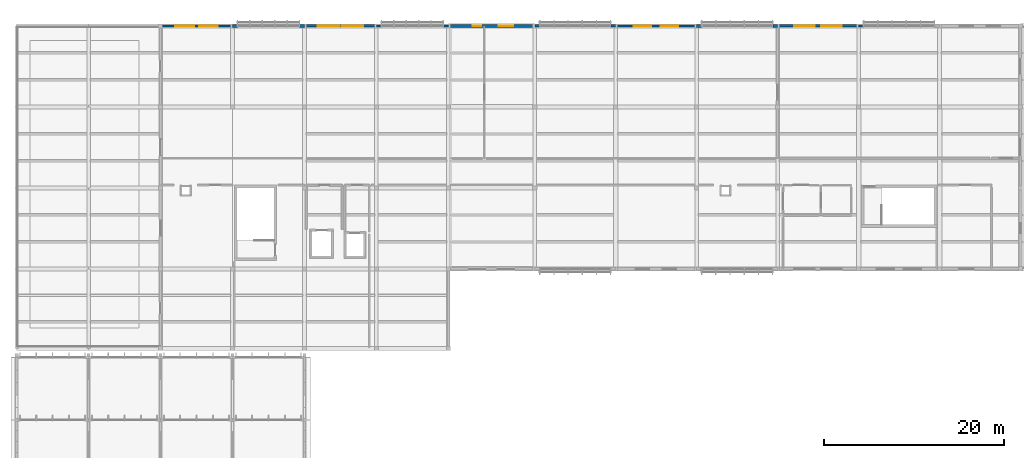
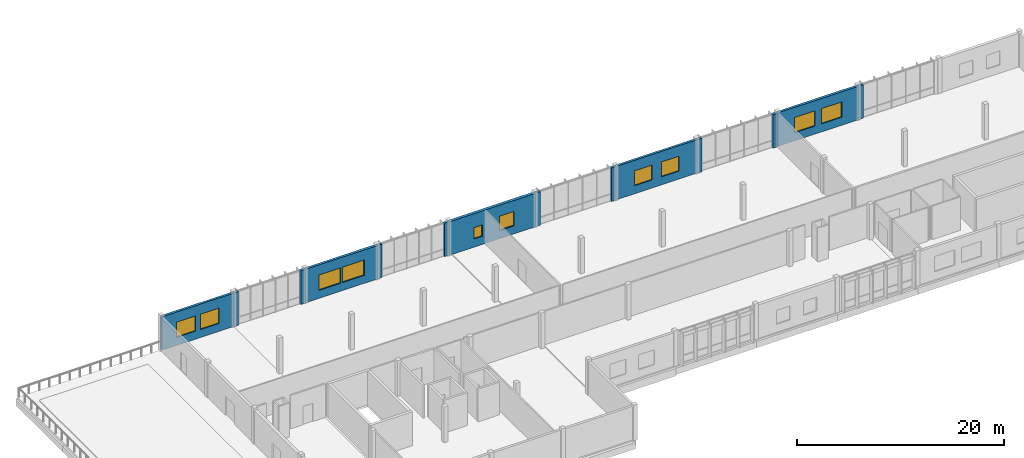
# One storey, part 89 of 94: 14 walls, 10 windows, 10 openings.
"""IFC4 building model written with IfcOpenShell, lengths in metres."""

from ifc_helpers import new_model, si_unit, direction, frame, frame_2d, origin, place, context, subcontext, project, spatial, rectangle, extrude, material, layer, layer_set, type_object, element, fill, save


model = new_model("IFC4")

# Units and contexts
model_context = context("Model", 3, precision=1e-05, world=origin(), true_north=direction((0.0, 1.0)))
body_context = subcontext(model_context, "Body", "Model", "MODEL_VIEW")
ifc_project = project(units=[si_unit("LENGTHUNIT", "METRE"), si_unit("AREAUNIT", "SQUARE_METRE"), si_unit("VOLUMEUNIT", "CUBIC_METRE"), si_unit("PLANEANGLEUNIT", "RADIAN"), si_unit("MASSUNIT", "GRAM", prefix="KILO")], contexts=[model_context])

# Site, building, storey
site_placement = place(None, origin())
site = spatial("IfcSite", under=ifc_project, at=site_placement, CompositionType="ELEMENT")
building_placement = place(site_placement, origin())
building = spatial("IfcBuilding", under=site, at=building_placement, Name="Chiffa Square Polytechnic", CompositionType="ELEMENT")
storey_placement = place(building_placement, frame((0.0, 0.0, 18.0)))
storey = spatial("IfcBuildingStorey", under=building, at=storey_placement, Name="L04", CompositionType="ELEMENT", Elevation=18.0)

# Wall
ifc_material_1 = material(Name="Precast concrete C40/50", Category="concrete")
ifc_layer_1 = layer(ifc_material_1, 0.260009765625, Name="Precast concrete C40/50")
ifc_layer_set_1 = layer_set([ifc_layer_1], Name="Precast concrete C40/50")
wall_type_1 = type_object("IfcWallType", Name="WL-EXT-PC260", PredefinedType="SOLIDWALL", material=ifc_layer_set_1)
wall_1_placement = place(storey_placement, frame((94.139892578125, 130.800048828125, 0.0), z_axis=(0.0, 0.0, 1.0), x_axis=(-1.0, 0.0, 0.0)))
element("IfcWall", 1, at=wall_1_placement, inside=storey, type_object=wall_type_1, Name="Facade column pier V5-L04-0376R", PredefinedType="SOLIDWALL", context=body_context, shape_type="SweptSolid", body=[
    extrude(rectangle(XDim=0.539794921875, YDim=0.260009765625, at=frame_2d((0.27001953125, 0.0))), origin(), (0.0, 0.0, 1.0), 3.93994140625),
])

# Wall, openings, windows
wall_2_placement = place(storey_placement, frame((75.60009765625, 130.800048828125, 0.0), z_axis=(0.0, 0.0, 1.0), x_axis=(-1.0, 0.0, 0.0)))
wall_2 = element("IfcWall", 2, at=wall_2_placement, inside=storey, type_object=wall_type_1, Name="Exterior wall WE-V5-L04-0379", PredefinedType="SOLIDWALL", context=body_context, shape_type="SweptSolid", body=[
    extrude(rectangle(XDim=9.0, YDim=0.260009765625, at=frame_2d((4.5, 0.0))), origin(), (0.0, 0.0, 1.0), 3.93994140625),
])
opening_1_placement = place(wall_2_placement, frame((2.02490234375, 0.0, 0.949951171875)))
opening_1 = element("IfcOpeningElement", 3, at=opening_1_placement, cuts=wall_2, Name="Opening W-04", PredefinedType="OPENING", context=body_context, shape_type="SweptSolid", body=[
    extrude(rectangle(XDim=1.949951171875, YDim=1.75, at=frame_2d((0.97509765625, 0.875))), frame((0.0, 0.14013671875, 0.0), z_axis=(0.0, -1.0, 0.0), x_axis=(1.0, 0.0, 0.0)), (0.0, 0.0, 1.0), 0.280029296875),
])
opening_2_placement = place(wall_2_placement, frame((5.02490234375, 0.0, 0.949951171875)))
opening_2 = element("IfcOpeningElement", 4, at=opening_2_placement, cuts=wall_2, Name="Opening W-04", PredefinedType="OPENING", context=body_context, shape_type="SweptSolid", body=[
    extrude(rectangle(XDim=1.949951171875, YDim=1.75, at=frame_2d((0.97509765625, 0.875))), frame((0.0, 0.14013671875, 0.0), z_axis=(0.0, -1.0, 0.0), x_axis=(1.0, 0.0, 0.0)), (0.0, 0.0, 1.0), 0.280029296875),
])
ifc_material_2 = material(Name="Double glazing in thermally broken aluminium frame", Category="aluminium")
window_type_1 = type_object("IfcWindowType", Name="WIN-LAB-1950X1750", PartitioningType="DOUBLE_PANEL_VERTICAL", PredefinedType="WINDOW", material=ifc_material_2)
window_1_placement = place(opening_1_placement, origin())
window_1 = element("IfcWindow", 5, at=window_1_placement, inside=storey, type_object=window_type_1, Name="Facade window WN-L04-0269", OverallHeight=1.75, OverallWidth=1.949951171875, PartitioningType="DOUBLE_PANEL_VERTICAL", PredefinedType="WINDOW", context=body_context, shape_type="SweptSolid", body=[
    extrude(rectangle(XDim=1.949951171875, YDim=1.75, at=frame_2d((0.97509765625, 0.875))), frame((0.0, 0.030029296875, 0.0), z_axis=(0.0, -1.0, 0.0), x_axis=(1.0, 0.0, 0.0)), (0.0, 0.0, 1.0), 0.06005859375),
])
fill(opening_1, window_1)
window_2_placement = place(opening_2_placement, origin())
window_2 = element("IfcWindow", 6, at=window_2_placement, inside=storey, type_object=window_type_1, Name="Facade window WN-L04-0270", OverallHeight=1.75, OverallWidth=1.949951171875, PartitioningType="DOUBLE_PANEL_VERTICAL", PredefinedType="WINDOW", context=body_context, shape_type="SweptSolid", body=[
    extrude(rectangle(XDim=1.949951171875, YDim=1.75, at=frame_2d((0.97509765625, 0.875))), frame((0.0, 0.030029296875, 0.0), z_axis=(0.0, -1.0, 0.0), x_axis=(1.0, 0.0, 0.0)), (0.0, 0.0, 1.0), 0.06005859375),
])
fill(opening_2, window_2)

# Walls
for number, where, z_axis, x_axis, name in (
    (7, (48.0, 130.800048828125, 0.0), (0.0, 0.0, 1.0), (-1.0, 0.0, 0.0), "Facade column pier V5-L04-0382L"),
    (8, (40.5400390625, 130.800048828125, 0.0), (0.0, 0.0, 1.0), (-1.0, 0.0, 0.0), "Facade column pier V5-L04-0382R"),
):
    element("IfcWall", number, at=place(storey_placement, frame(where, z_axis=z_axis, x_axis=x_axis)), inside=storey, type_object=wall_type_1, Name=name, PredefinedType="SOLIDWALL", context=body_context, shape_type="SweptSolid", body=[
        extrude(rectangle(XDim=0.5400390625, YDim=0.260009765625, at=frame_2d((0.27001953125, 0.0))), origin(), (0.0, 0.0, 1.0), 3.93994140625),
    ])

# Wall, openings, windows
wall_3_placement = place(storey_placement, frame((24.0, 130.800048828125, 0.0), z_axis=(0.0, 0.0, 1.0), x_axis=(-1.0, 0.0, 0.0)))
wall_3 = element("IfcWall", 9, at=wall_3_placement, inside=storey, type_object=wall_type_1, Name="Exterior wall WE-V5-L04-0385", PredefinedType="SOLIDWALL", context=body_context, shape_type="SweptSolid", body=[
    extrude(rectangle(XDim=8.0, YDim=0.260009765625, at=frame_2d((4.0, 0.0))), origin(), (0.0, 0.0, 1.0), 3.93994140625),
])
opening_3_placement = place(wall_3_placement, frame((1.616943359375, 0.0, 0.949951171875)))
opening_3 = element("IfcOpeningElement", 10, at=opening_3_placement, cuts=wall_3, Name="Opening W-03", PredefinedType="OPENING", context=body_context, shape_type="SweptSolid", body=[
    extrude(rectangle(XDim=2.10009765625, YDim=1.800048828125, at=frame_2d((1.050048828125, 0.89990234375))), frame((0.0, 0.14013671875, 0.0), z_axis=(0.0, -1.0, 0.0), x_axis=(1.0, 0.0, 0.0)), (0.0, 0.0, 1.0), 0.280029296875),
])
opening_4_placement = place(wall_3_placement, frame((4.282958984375, 0.0, 0.949951171875)))
opening_4 = element("IfcOpeningElement", 11, at=opening_4_placement, cuts=wall_3, Name="Opening W-03", PredefinedType="OPENING", context=body_context, shape_type="SweptSolid", body=[
    extrude(rectangle(XDim=2.10009765625, YDim=1.800048828125, at=frame_2d((1.050048828125, 0.89990234375))), frame((0.0, 0.14013671875, 0.0), z_axis=(0.0, -1.0, 0.0), x_axis=(1.0, 0.0, 0.0)), (0.0, 0.0, 1.0), 0.280029296875),
])
window_type_2 = type_object("IfcWindowType", Name="WIN-LAB-2100X1800", PartitioningType="DOUBLE_PANEL_VERTICAL", PredefinedType="WINDOW", material=ifc_material_2)
window_3_placement = place(opening_3_placement, origin())
window_3 = element("IfcWindow", 12, at=window_3_placement, inside=storey, type_object=window_type_2, Name="Facade window WN-L04-0275", OverallHeight=1.800048828125, OverallWidth=2.10009765625, PartitioningType="DOUBLE_PANEL_VERTICAL", PredefinedType="WINDOW", context=body_context, shape_type="SweptSolid", body=[
    extrude(rectangle(XDim=2.10009765625, YDim=1.800048828125, at=frame_2d((1.050048828125, 0.89990234375))), frame((0.0, 0.030029296875, 0.0), z_axis=(0.0, -1.0, 0.0), x_axis=(1.0, 0.0, 0.0)), (0.0, 0.0, 1.0), 0.06005859375),
])
fill(opening_3, window_3)
window_4_placement = place(opening_4_placement, origin())
window_4 = element("IfcWindow", 13, at=window_4_placement, inside=storey, type_object=window_type_2, Name="Facade window WN-L04-0276", OverallHeight=1.800048828125, OverallWidth=2.10009765625, PartitioningType="DOUBLE_PANEL_VERTICAL", PredefinedType="WINDOW", context=body_context, shape_type="SweptSolid", body=[
    extrude(rectangle(XDim=2.10009765625, YDim=1.800048828125, at=frame_2d((1.050048828125, 0.89990234375))), frame((0.0, 0.030029296875, 0.0), z_axis=(0.0, -1.0, 0.0), x_axis=(1.0, 0.0, 0.0)), (0.0, 0.0, 1.0), 0.06005859375),
])
fill(opening_4, window_4)

ifc_layer_2 = layer(ifc_material_1, 0.280029296875, Name="Precast concrete C40/50")
ifc_layer_set_2 = layer_set([ifc_layer_2], Name="Precast concrete C40/50")
wall_type_2 = type_object("IfcWallType", Name="WL-EXT-PC280", PredefinedType="SOLIDWALL", material=ifc_layer_set_2)
wall_4_placement = place(storey_placement, frame((93.60009765625, 130.800048828125, 0.0), z_axis=(0.0, 0.0, 1.0), x_axis=(-1.0, 0.0, 0.0)))
wall_4 = element("IfcWall", 14, at=wall_4_placement, inside=storey, type_object=wall_type_2, Name="Exterior wall WE-V5-L04-0377", PredefinedType="SOLIDWALL", context=body_context, shape_type="SweptSolid", body=[
    extrude(rectangle(XDim=9.0, YDim=0.280029296875, at=frame_2d((4.5, 0.0))), origin(), (0.0, 0.0, 1.0), 3.93994140625),
])
opening_5_placement = place(wall_4_placement, frame((1.875, 0.0, 0.949951171875)))
opening_5 = element("IfcOpeningElement", 15, at=opening_5_placement, cuts=wall_4, Name="Opening W-02", PredefinedType="OPENING", context=body_context, shape_type="SweptSolid", body=[
    extrude(rectangle(XDim=2.25, YDim=1.800048828125, at=frame_2d((1.125, 0.89990234375))), frame((0.0, 0.14990234375, 0.0), z_axis=(0.0, -1.0, 0.0), x_axis=(1.0, 0.0, 0.0)), (0.0, 0.0, 1.0), 0.300048828125),
])
opening_6_placement = place(wall_4_placement, frame((4.875, 0.0, 0.949951171875)))
opening_6 = element("IfcOpeningElement", 16, at=opening_6_placement, cuts=wall_4, Name="Opening W-02", PredefinedType="OPENING", context=body_context, shape_type="SweptSolid", body=[
    extrude(rectangle(XDim=2.25, YDim=1.800048828125, at=frame_2d((1.125, 0.89990234375))), frame((0.0, 0.14990234375, 0.0), z_axis=(0.0, -1.0, 0.0), x_axis=(1.0, 0.0, 0.0)), (0.0, 0.0, 1.0), 0.300048828125),
])
window_type_3 = type_object("IfcWindowType", Name="WIN-LAB-2250X1800", PartitioningType="DOUBLE_PANEL_VERTICAL", PredefinedType="WINDOW", material=ifc_material_2)
window_5_placement = place(opening_5_placement, origin())
window_5 = element("IfcWindow", 17, at=window_5_placement, inside=storey, type_object=window_type_3, Name="Facade window WN-L04-0267", OverallHeight=1.800048828125, OverallWidth=2.25, PartitioningType="DOUBLE_PANEL_VERTICAL", PredefinedType="WINDOW", context=body_context, shape_type="SweptSolid", body=[
    extrude(rectangle(XDim=2.25, YDim=1.800048828125, at=frame_2d((1.125, 0.89990234375))), frame((0.0, 0.030029296875, 0.0), z_axis=(0.0, -1.0, 0.0), x_axis=(1.0, 0.0, 0.0)), (0.0, 0.0, 1.0), 0.06005859375),
])
fill(opening_5, window_5)
window_6_placement = place(opening_6_placement, origin())
window_6 = element("IfcWindow", 18, at=window_6_placement, inside=storey, type_object=window_type_3, Name="Facade window WN-L04-0268", OverallHeight=1.800048828125, OverallWidth=2.25, PartitioningType="DOUBLE_PANEL_VERTICAL", PredefinedType="WINDOW", context=body_context, shape_type="SweptSolid", body=[
    extrude(rectangle(XDim=2.25, YDim=1.800048828125, at=frame_2d((1.125, 0.89990234375))), frame((0.0, 0.030029296875, 0.0), z_axis=(0.0, -1.0, 0.0), x_axis=(1.0, 0.0, 0.0)), (0.0, 0.0, 1.0), 0.06005859375),
])
fill(opening_6, window_6)

# Walls
wall_5_placement = place(storey_placement, frame((66.60009765625, 130.800048828125, 0.0), z_axis=(0.0, 0.0, 1.0), x_axis=(-1.0, 0.0, 0.0)))
element("IfcWall", 19, at=wall_5_placement, inside=storey, type_object=wall_type_2, Name="Facade column pier V5-L04-0380L", PredefinedType="SOLIDWALL", context=body_context, shape_type="SweptSolid", body=[
    extrude(rectangle(XDim=0.5400390625, YDim=0.280029296875, at=frame_2d((0.27001953125, 0.0))), origin(), (0.0, 0.0, 1.0), 3.93994140625),
])
wall_6_placement = place(storey_placement, frame((58.139892578125, 130.800048828125, 0.0), z_axis=(0.0, 0.0, 1.0), x_axis=(-1.0, 0.0, 0.0)))
element("IfcWall", 20, at=wall_6_placement, inside=storey, type_object=wall_type_2, Name="Facade column pier V5-L04-0380R", PredefinedType="SOLIDWALL", context=body_context, shape_type="SweptSolid", body=[
    extrude(rectangle(XDim=0.539794921875, YDim=0.280029296875, at=frame_2d((0.27001953125, 0.0))), origin(), (0.0, 0.0, 1.0), 3.93994140625),
])

# Wall, openings, windows
wall_7_placement = place(storey_placement, frame((40.0, 130.800048828125, 0.0), z_axis=(0.0, 0.0, 1.0), x_axis=(-1.0, 0.0, 0.0)))
wall_7 = element("IfcWall", 21, at=wall_7_placement, inside=storey, type_object=wall_type_2, Name="Exterior wall WE-V5-L04-0383", PredefinedType="SOLIDWALL", context=body_context, shape_type="SweptSolid", body=[
    extrude(rectangle(XDim=8.0, YDim=0.280029296875, at=frame_2d((4.0, 0.0))), origin(), (0.0, 0.0, 1.0), 3.93994140625),
])
opening_7_placement = place(wall_7_placement, frame((1.467041015625, 0.0, 0.949951171875)))
opening_7 = element("IfcOpeningElement", 22, at=opening_7_placement, cuts=wall_7, Name="Opening W-01", PredefinedType="OPENING", context=body_context, shape_type="SweptSolid", body=[
    extrude(rectangle(XDim=2.39990234375, YDim=1.800048828125, at=frame_2d((1.199951171875, 0.89990234375))), frame((0.0, 0.14990234375, 0.0), z_axis=(0.0, -1.0, 0.0), x_axis=(1.0, 0.0, 0.0)), (0.0, 0.0, 1.0), 0.300048828125),
])
opening_8_placement = place(wall_7_placement, frame((4.133056640625, 0.0, 0.949951171875)))
opening_8 = element("IfcOpeningElement", 23, at=opening_8_placement, cuts=wall_7, Name="Opening W-01", PredefinedType="OPENING", context=body_context, shape_type="SweptSolid", body=[
    extrude(rectangle(XDim=2.39990234375, YDim=1.800048828125, at=frame_2d((1.199951171875, 0.89990234375))), frame((0.0, 0.14990234375, 0.0), z_axis=(0.0, -1.0, 0.0), x_axis=(1.0, 0.0, 0.0)), (0.0, 0.0, 1.0), 0.300048828125),
])
window_type_4 = type_object("IfcWindowType", Name="WIN-LAB-2400X1800", PartitioningType="DOUBLE_PANEL_VERTICAL", PredefinedType="WINDOW", material=ifc_material_2)
window_7_placement = place(opening_7_placement, origin())
window_7 = element("IfcWindow", 24, at=window_7_placement, inside=storey, type_object=window_type_4, Name="Facade window WN-L04-0273", OverallHeight=1.800048828125, OverallWidth=2.39990234375, PartitioningType="DOUBLE_PANEL_VERTICAL", PredefinedType="WINDOW", context=body_context, shape_type="SweptSolid", body=[
    extrude(rectangle(XDim=2.39990234375, YDim=1.800048828125, at=frame_2d((1.199951171875, 0.89990234375))), frame((0.0, 0.030029296875, 0.0), z_axis=(0.0, -1.0, 0.0), x_axis=(1.0, 0.0, 0.0)), (0.0, 0.0, 1.0), 0.06005859375),
])
fill(opening_7, window_7)
window_8_placement = place(opening_8_placement, origin())
window_8 = element("IfcWindow", 25, at=window_8_placement, inside=storey, type_object=window_type_4, Name="Facade window WN-L04-0274", OverallHeight=1.800048828125, OverallWidth=2.39990234375, PartitioningType="DOUBLE_PANEL_VERTICAL", PredefinedType="WINDOW", context=body_context, shape_type="SweptSolid", body=[
    extrude(rectangle(XDim=2.39990234375, YDim=1.800048828125, at=frame_2d((1.199951171875, 0.89990234375))), frame((0.0, 0.030029296875, 0.0), z_axis=(0.0, -1.0, 0.0), x_axis=(1.0, 0.0, 0.0)), (0.0, 0.0, 1.0), 0.06005859375),
])
fill(opening_8, window_8)

# Walls
ifc_layer_3 = layer(ifc_material_1, 0.320068359375, Name="Precast concrete C40/50")
ifc_layer_set_3 = layer_set([ifc_layer_3], Name="Precast concrete C40/50")
wall_type_3 = type_object("IfcWallType", Name="WL-EXT-PC320", PredefinedType="SOLIDWALL", material=ifc_layer_set_3)
wall_8_placement = place(storey_placement, frame((84.60009765625, 130.800048828125, 0.0), z_axis=(0.0, 0.0, 1.0), x_axis=(-1.0, 0.0, 0.0)))
element("IfcWall", 26, at=wall_8_placement, inside=storey, type_object=wall_type_3, Name="Facade column pier V5-L04-0378L", PredefinedType="SOLIDWALL", context=body_context, shape_type="SweptSolid", body=[
    extrude(rectangle(XDim=0.5400390625, YDim=0.320068359375, at=frame_2d((0.27001953125, 0.0))), origin(), (0.0, 0.0, 1.0), 3.93994140625),
])
wall_9_placement = place(storey_placement, frame((76.139892578125, 130.800048828125, 0.0), z_axis=(0.0, 0.0, 1.0), x_axis=(-1.0, 0.0, 0.0)))
element("IfcWall", 27, at=wall_9_placement, inside=storey, type_object=wall_type_3, Name="Facade column pier V5-L04-0378R", PredefinedType="SOLIDWALL", context=body_context, shape_type="SweptSolid", body=[
    extrude(rectangle(XDim=0.539794921875, YDim=0.320068359375, at=frame_2d((0.27001953125, 0.0))), origin(), (0.0, 0.0, 1.0), 3.93994140625),
])

# Wall, openings, windows
wall_10_placement = place(storey_placement, frame((57.60009765625, 130.800048828125, 0.0), z_axis=(0.0, 0.0, 1.0), x_axis=(-1.0, 0.0, 0.0)))
wall_10 = element("IfcWall", 28, at=wall_10_placement, inside=storey, type_object=wall_type_3, Name="Exterior wall WE-V5-L04-0381", PredefinedType="SOLIDWALL", context=body_context, shape_type="SweptSolid", body=[
    extrude(rectangle(XDim=9.60009765625, YDim=0.320068359375, at=frame_2d((4.800048828125, 0.0))), origin(), (0.0, 0.0, 1.0), 3.93994140625),
])
opening_9_placement = place(wall_10_placement, frame((2.375, 0.0, 0.949951171875)))
opening_9 = element("IfcOpeningElement", 29, at=opening_9_placement, cuts=wall_10, Name="Opening W-06", PredefinedType="OPENING", context=body_context, shape_type="SweptSolid", body=[
    extrude(rectangle(XDim=1.64990234375, YDim=1.699951171875, at=frame_2d((0.824951171875, 0.85009765625))), frame((0.0, 0.169921875, 0.0), z_axis=(0.0, -1.0, 0.0), x_axis=(1.0, 0.0, 0.0)), (0.0, 0.0, 1.0), 0.340087890625),
])
opening_10_placement = place(wall_10_placement, frame((5.925048828125, 0.0, 0.949951171875)))
opening_10 = element("IfcOpeningElement", 30, at=opening_10_placement, cuts=wall_10, Name="Opening W-21", PredefinedType="OPENING", context=body_context, shape_type="SweptSolid", body=[
    extrude(rectangle(XDim=0.949951171875, YDim=1.35009765625, at=frame_2d((0.47509765625, 0.675048828125))), frame((0.0, 0.169921875, 0.0), z_axis=(0.0, -1.0, 0.0), x_axis=(1.0, 0.0, 0.0)), (0.0, 0.0, 1.0), 0.340087890625),
])
window_type_5 = type_object("IfcWindowType", Name="WIN-LAB-1650X1700", PartitioningType="DOUBLE_PANEL_VERTICAL", PredefinedType="WINDOW", material=ifc_material_2)
window_9_placement = place(opening_9_placement, origin())
window_9 = element("IfcWindow", 31, at=window_9_placement, inside=storey, type_object=window_type_5, Name="Facade window WN-L04-0271", OverallHeight=1.699951171875, OverallWidth=1.64990234375, PartitioningType="DOUBLE_PANEL_VERTICAL", PredefinedType="WINDOW", context=body_context, shape_type="SweptSolid", body=[
    extrude(rectangle(XDim=1.64990234375, YDim=1.699951171875, at=frame_2d((0.824951171875, 0.85009765625))), frame((0.0, 0.030029296875, 0.0), z_axis=(0.0, -1.0, 0.0), x_axis=(1.0, 0.0, 0.0)), (0.0, 0.0, 1.0), 0.06005859375),
])
fill(opening_9, window_9)
window_type_6 = type_object("IfcWindowType", Name="WIN-OFF-0950X1350", PartitioningType="DOUBLE_PANEL_VERTICAL", PredefinedType="WINDOW", material=ifc_material_2)
window_10_placement = place(opening_10_placement, origin())
window_10 = element("IfcWindow", 32, at=window_10_placement, inside=storey, type_object=window_type_6, Name="Facade window WN-L04-0272", OverallHeight=1.35009765625, OverallWidth=0.949951171875, PartitioningType="DOUBLE_PANEL_VERTICAL", PredefinedType="WINDOW", context=body_context, shape_type="SweptSolid", body=[
    extrude(rectangle(XDim=0.949951171875, YDim=1.35009765625, at=frame_2d((0.47509765625, 0.675048828125))), frame((0.0, 0.030029296875, 0.0), z_axis=(0.0, -1.0, 0.0), x_axis=(1.0, 0.0, 0.0)), (0.0, 0.0, 1.0), 0.06005859375),
])
fill(opening_10, window_10)

# Walls
for number, where, z_axis, x_axis, name in (
    (33, (32.0, 130.800048828125, 0.0), (0.0, 0.0, 1.0), (-1.0, 0.0, 0.0), "Facade column pier V5-L04-0384L"),
    (34, (24.5400390625, 130.800048828125, 0.0), (0.0, 0.0, 1.0), (-1.0, 0.0, 0.0), "Facade column pier V5-L04-0384R"),
):
    element("IfcWall", number, at=place(storey_placement, frame(where, z_axis=z_axis, x_axis=x_axis)), inside=storey, type_object=wall_type_3, Name=name, PredefinedType="SOLIDWALL", context=body_context, shape_type="SweptSolid", body=[
        extrude(rectangle(XDim=0.5400390625, YDim=0.320068359375, at=frame_2d((0.27001953125, 0.0))), origin(), (0.0, 0.0, 1.0), 3.93994140625),
    ])

save(model, "model.ifc")
